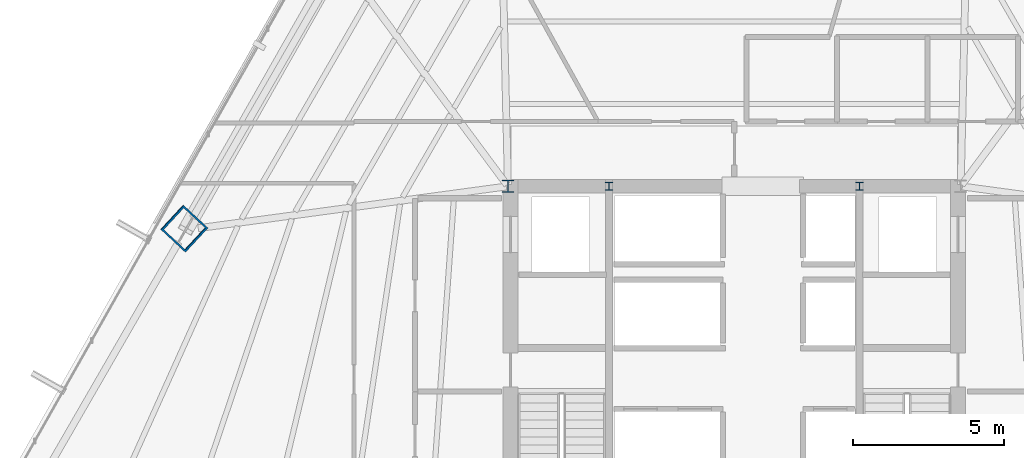
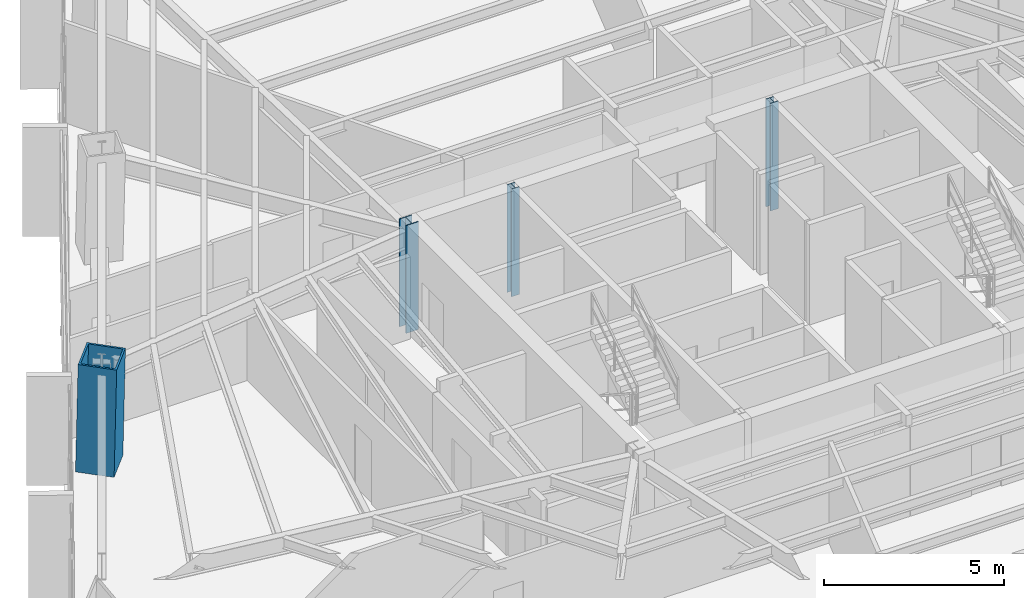
# One storey, part 2 of 36: 4 columns.
"""IFC4 building model written with IfcOpenShell, lengths in metres."""

from ifc_helpers import new_model, si_unit, direction, frame, origin, origin_2d, place, context, subcontext, project, spatial, hollow_rectangle, i_section, extrude, source, transform, mapped, material, material_profile, profile_set, type_object, type_shapes, element, save


model = new_model("IFC4")

# Units and contexts
model_context = context("Model", 3, precision=1e-05, world=origin(), true_north=direction((0.0, 1.0)))
body_context = subcontext(model_context, "Body", "Model", "MODEL_VIEW")
ifc_project = project(units=[si_unit("LENGTHUNIT", "METRE"), si_unit("AREAUNIT", "SQUARE_METRE"), si_unit("VOLUMEUNIT", "CUBIC_METRE"), si_unit("PLANEANGLEUNIT", "RADIAN"), si_unit("MASSUNIT", "GRAM", prefix="KILO")], contexts=[model_context])

# Site, building, storey
site_placement = place(None, origin())
site = spatial("IfcSite", under=ifc_project, at=site_placement, CompositionType="ELEMENT")
building_placement = place(site_placement, origin())
building = spatial("IfcBuilding", under=site, at=building_placement, Name="Caelisora Broadcast Tower", CompositionType="ELEMENT")
storey_placement = place(building_placement, frame((0.0, 0.0, 83.5)))
storey = spatial("IfcBuildingStorey", under=building, at=storey_placement, Name="L21", CompositionType="ELEMENT", Elevation=83.5)

# Columns
ifc_material_1 = material(Name="Steel Grade 350 (AS/NZS 3679.1)", Category="steel")
ifc_material_profile_1 = material_profile(ifc_material_1, i_section(OverallWidth=0.256103515625, OverallDepth=0.260009765625, WebThickness=0.010498046875, FlangeThickness=0.017333984375, at=origin_2d()), Name="Steel Grade 350 (AS/NZS 3679.1)")
ifc_profile_set_1 = profile_set([ifc_material_profile_1], Name="Steel Grade 350 (AS/NZS 3679.1)")
column_type_1 = type_object("IfcColumnType", Name="CC05", PredefinedType="COLUMN", material=ifc_profile_set_1)
shared_shape_1 = source(origin(), body_context, "Body", "SweptSolid", [
    extrude(i_section(OverallWidth=0.256103515625, OverallDepth=0.260009765625, WebThickness=0.010498046875, FlangeThickness=0.017333984375, at=origin_2d()), origin(), (0.0, 0.0, 1.0), 3.64990234375),
])
type_shapes(column_type_1, [shared_shape_1])
for number, where, z_axis, x_axis, name in (
    (1, (33.85009765625, 30.0, 0.0), (0.0, 0.0, 1.0), (1.0, 0.0, 0.0), "L21 column CC05"),
    (2, (42.14990234375, 30.0, 0.0), (0.0, 0.0, 1.0), (1.0, 0.0, 0.0), "L21 column CC05"),
):
    element("IfcColumn", number, at=place(storey_placement, frame(where, z_axis=z_axis, x_axis=x_axis)), inside=storey, type_object=column_type_1, Name=name, PredefinedType="COLUMN", context=body_context, shape_type="MappedRepresentation", body=[
        mapped(shared_shape_1, transform((0.0, 0.0, 0.0), scale=1.0)),
    ])
ifc_material_2 = material(Name="Steel Grade 350 (AS/NZS 3679.2)", Category="steel")
ifc_material_profile_2 = material_profile(ifc_material_2, i_section(OverallWidth=0.39990234375, OverallDepth=0.39990234375, WebThickness=0.02001953125, FlangeThickness=0.031982421875, at=origin_2d()), Name="Steel Grade 350 (AS/NZS 3679.2)")
ifc_profile_set_2 = profile_set([ifc_material_profile_2], Name="Steel Grade 350 (AS/NZS 3679.2)")
column_type_2 = type_object("IfcColumnType", Name="CC02", PredefinedType="COLUMN", material=ifc_profile_set_2)
shared_shape_2 = source(origin(), body_context, "Body", "SweptSolid", [
    extrude(i_section(OverallWidth=0.39990234375, OverallDepth=0.39990234375, WebThickness=0.02001953125, FlangeThickness=0.031982421875, at=origin_2d()), origin(), (0.0, 0.0, 1.0), 3.64990234375),
])
type_shapes(column_type_2, [shared_shape_2])
column_1_placement = place(storey_placement, frame((30.5, 30.0, 0.0), z_axis=(0.0, 0.0, 1.0), x_axis=(1.0, 0.0, 0.0)))
element("IfcColumn", 3, at=column_1_placement, inside=storey, type_object=column_type_2, Name="L21 column CC02", PredefinedType="COLUMN", context=body_context, shape_type="MappedRepresentation", body=[
    mapped(shared_shape_2, transform((0.0, 0.0, 0.0), scale=1.0)),
])
ifc_material_3 = material(Name="Steel Grade 350 L15 (AS/NZS 3678)", Category="steel")
ifc_material_profile_3 = material_profile(ifc_material_3, hollow_rectangle(XDim=1.10009765625, YDim=1.10009765625, WallThickness=0.06005859375, at=origin_2d()), Name="Steel Grade 350 L15 (AS/NZS 3678)")
ifc_profile_set_3 = profile_set([ifc_material_profile_3], Name="Steel Grade 350 L15 (AS/NZS 3678)")
column_type_3 = type_object("IfcColumnType", Name="MC03", PredefinedType="COLUMN", material=ifc_profile_set_3)
shared_shape_3 = source(origin(), body_context, "Body", "SweptSolid", [
    extrude(hollow_rectangle(XDim=1.10009765625, YDim=1.10009765625, WallThickness=0.06005859375, at=origin_2d()), origin(), (0.0, 0.0, 1.0), 3.650634765625),
])
type_shapes(column_type_3, [shared_shape_3])
column_2_placement = place(storey_placement, frame((19.76708984375, 28.60498046875, 0.0), z_axis=(0.014846452328, -0.013776437746, 0.99979487527), x_axis=(0.68019775991, 0.733028653883, 0.0)))
element("IfcColumn", 4, at=column_2_placement, inside=storey, type_object=column_type_3, Name="L21 column MC03", PredefinedType="COLUMN", context=body_context, shape_type="MappedRepresentation", body=[
    mapped(shared_shape_3, transform((0.0, 0.0, 0.0), scale=1.0)),
])

save(model, "model.ifc")
